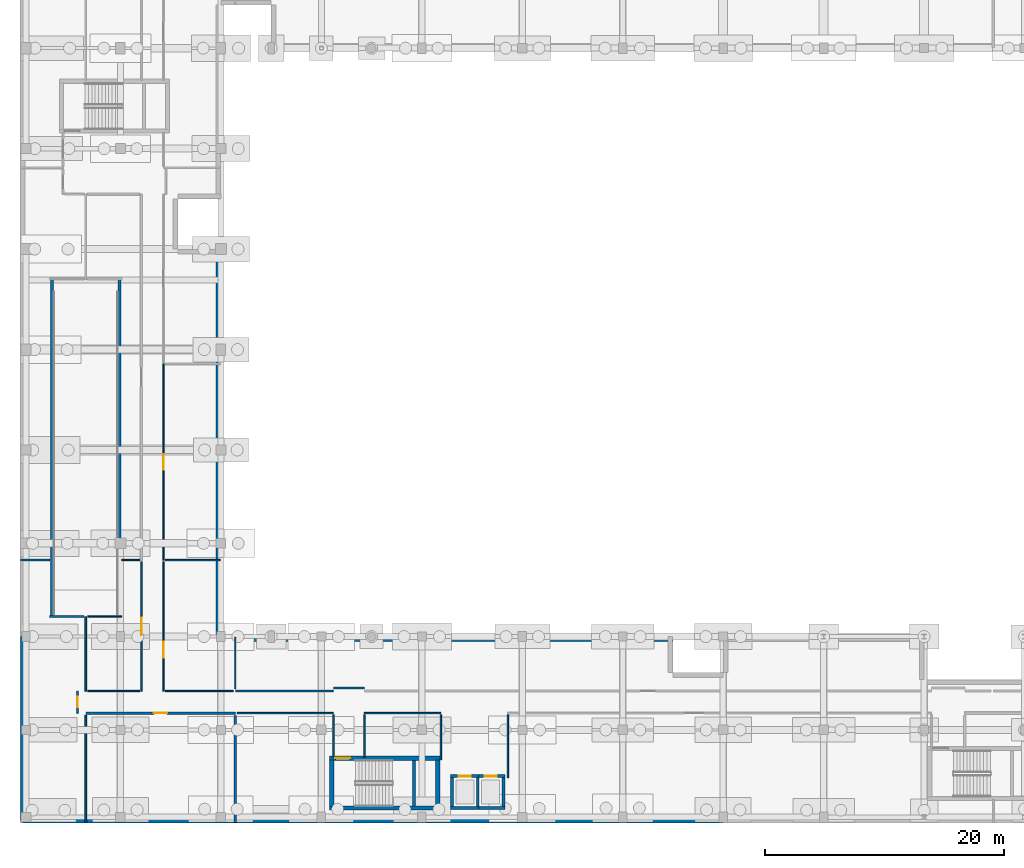
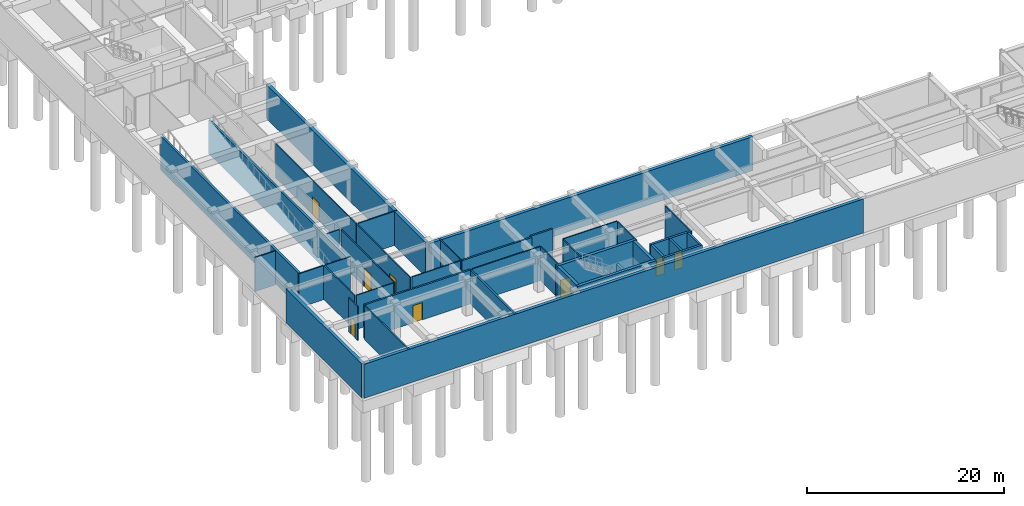
# One storey, part 25 of 42: 42 walls, 8 doors, 8 openings.
"""IFC4 building model written with IfcOpenShell, lengths in metres."""

from ifc_helpers import new_model, si_unit, direction, frame, frame_2d, origin, place, context, subcontext, project, spatial, rectangle, extrude, material, layer, layer_set, type_object, element, fill, save


model = new_model("IFC4")

# Units and contexts
model_context = context("Model", 3, precision=1e-05, world=origin(), true_north=direction((0.0, 1.0)))
body_context = subcontext(model_context, "Body", "Model", "MODEL_VIEW")
ifc_project = project(units=[si_unit("LENGTHUNIT", "METRE"), si_unit("AREAUNIT", "SQUARE_METRE"), si_unit("VOLUMEUNIT", "CUBIC_METRE"), si_unit("PLANEANGLEUNIT", "RADIAN"), si_unit("MASSUNIT", "GRAM", prefix="KILO")], contexts=[model_context])

# Site, building, storey
site_placement = place(None, origin())
site = spatial("IfcSite", under=ifc_project, at=site_placement, CompositionType="ELEMENT")
building_placement = place(site_placement, origin())
building = spatial("IfcBuilding", under=site, at=building_placement, Name="Quendrovan Civic Courthouse", CompositionType="ELEMENT")
storey_placement = place(building_placement, frame((0.0, 0.0, -4.5)))
storey = spatial("IfcBuildingStorey", under=building, at=storey_placement, Name="B1", CompositionType="ELEMENT", Elevation=-4.5)

# Walls
ifc_material_1 = material(Name="Concrete C35/45", Category="concrete")
ifc_layer_1 = layer(ifc_material_1, 0.3798828125, Name="Concrete C35/45")
ifc_layer_set_1 = layer_set([ifc_layer_1], Name="Concrete C35/45")
wall_type_1 = type_object("IfcWallType", Name="WL-BSM-RET380", PredefinedType="SOLIDWALL", material=ifc_layer_set_1)
wall_1_placement = place(storey_placement, frame((16.590087890625, 48.0, 0.0), z_axis=(0.0, 0.0, 1.0), x_axis=(0.0, -1.0, 0.0)))
element("IfcWall", 1, at=wall_1_placement, inside=storey, type_object=wall_type_1, Name="B1 Perimeter Retaining Wall 031", PredefinedType="SOLIDWALL", context=body_context, shape_type="SweptSolid", body=[
    extrude(rectangle(XDim=32.39990234375, YDim=0.3798828125, at=frame_2d((16.199951171875, 0.0))), origin(), (0.0, 0.0, 1.0), 4.219970703125),
])
wall_2_placement = place(storey_placement, frame((16.800048828125, 15.389892578125, 0.0), z_axis=(0.0, 0.0, 1.0), x_axis=(1.0, 0.0, 0.0)))
element("IfcWall", 2, at=wall_2_placement, inside=storey, type_object=wall_type_1, Name="B1 Perimeter Retaining Wall 032", PredefinedType="SOLIDWALL", context=body_context, shape_type="SweptSolid", body=[
    extrude(rectangle(XDim=37.800048828125, YDim=0.3798828125, at=frame_2d((18.89990234375, 0.0))), origin(), (0.0, 0.0, 1.0), 4.219970703125),
])
wall_3_placement = place(storey_placement, frame((58.800048828125, 0.219970703125, 0.0), z_axis=(0.0, 0.0, 1.0), x_axis=(-1.0, 0.0, 0.0)))
element("IfcWall", 3, at=wall_3_placement, inside=storey, type_object=wall_type_1, Name="B1 Perimeter Retaining Wall 043", PredefinedType="SOLIDWALL", context=body_context, shape_type="SweptSolid", body=[
    extrude(rectangle(XDim=58.580078125, YDim=0.3798828125, at=frame_2d((29.2900390625, 0.0))), origin(), (0.0, 0.0, 1.0), 4.219970703125),
])
wall_4_placement = place(storey_placement, frame((0.219970703125, 0.219970703125, 0.0), z_axis=(0.0, 0.0, 1.0), x_axis=(0.0, 1.0, 0.0)))
element("IfcWall", 4, at=wall_4_placement, inside=storey, type_object=wall_type_1, Name="B1 Perimeter Retaining Wall 044", PredefinedType="SOLIDWALL", context=body_context, shape_type="SweptSolid", body=[
    extrude(rectangle(XDim=15.380126953125, YDim=0.3798828125, at=frame_2d((7.68994140625, 0.0))), origin(), (0.0, 0.0, 1.0), 4.219970703125),
])
ifc_material_2 = material(Name="Concrete C45/55", Category="concrete")
ifc_layer_2 = layer(ifc_material_2, 0.35009765625, Name="Concrete C45/55")
ifc_layer_set_2 = layer_set([ifc_layer_2], Name="Concrete C45/55")
wall_type_2 = type_object("IfcWallType", Name="WL-CORE-350", PredefinedType="SHEAR", material=ifc_layer_set_2)
wall_5_placement = place(storey_placement, frame((25.889892578125, 1.264892578125, 0.0), z_axis=(0.0, 0.0, 1.0), x_axis=(1.0, 0.0, 0.0)))
element("IfcWall", 5, at=wall_5_placement, inside=storey, type_object=wall_type_2, Name="B1 Core Shear Wall ST5-S", PredefinedType="SHEAR", context=body_context, shape_type="SweptSolid", body=[
    extrude(rectangle(XDim=9.22021484375, YDim=0.35009765625, at=frame_2d((4.610107421875, 0.0))), origin(), (0.0, 0.0, 1.0), 4.219970703125),
])

# Wall, opening, door
wall_6_placement = place(storey_placement, frame((35.110107421875, 5.43505859375, 0.0), z_axis=(0.0, 0.0, 1.0), x_axis=(-1.0, 0.0, 0.0)))
wall_6 = element("IfcWall", 6, at=wall_6_placement, inside=storey, type_object=wall_type_2, Name="B1 Core Shear Wall ST5-N", PredefinedType="SHEAR", context=body_context, shape_type="SweptSolid", body=[
    extrude(rectangle(XDim=9.22021484375, YDim=0.35009765625, at=frame_2d((4.610107421875, 0.0))), origin(), (0.0, 0.0, 1.0), 4.219970703125),
])
opening_1_placement = place(wall_6_placement, frame((7.5, 0.0, 0.0)))
opening_1 = element("IfcOpeningElement", 7, at=opening_1_placement, cuts=wall_6, Name="Opening DS-ST5-B1", PredefinedType="OPENING", context=body_context, shape_type="SweptSolid", body=[
    extrude(rectangle(XDim=1.25, YDim=2.199951171875, at=frame_2d((0.625, 1.10009765625))), frame((0.0, 0.18505859375, 0.0), z_axis=(0.0, -1.0, 0.0), x_axis=(1.0, 0.0, 0.0)), (0.0, 0.0, 1.0), 0.3701171875),
])
ifc_material_3 = material(Name="Painted galvanized hollow-metal steel", Category="steel")
door_type_1 = type_object("IfcDoorType", Name="DR-STAIR-1250", OperationType="NOTDEFINED", PredefinedType="DOOR", material=ifc_material_3)
door_1_placement = place(opening_1_placement, origin())
door_1 = element("IfcDoor", 8, at=door_1_placement, inside=storey, type_object=door_type_1, Name="B1 Exit Stair ST5 Fire Door", OperationType="SINGLE_SWING_RIGHT", OverallHeight=2.199951171875, OverallWidth=1.25, PredefinedType="DOOR", context=body_context, shape_type="SweptSolid", body=[
    extrude(rectangle(XDim=1.25, YDim=2.199951171875, at=frame_2d((0.625, 1.10009765625))), frame((0.0, 0.02490234375, 0.0), z_axis=(0.0, -1.0, 0.0), x_axis=(1.0, 0.0, 0.0)), (0.0, 0.0, 1.0), 0.050048828125),
])
fill(opening_1, door_1)

# Walls
for number, where, z_axis, x_axis, name in (
    (9, (26.06494140625, 1.39990234375, 0.0), (0.0, 0.0, 1.0), (0.0, 1.0, 0.0), "B1 Core Shear Wall ST5-W"),
    (10, (34.93505859375, 5.300048828125, 0.0), (0.0, 0.0, 1.0), (0.0, -1.0, 0.0), "B1 Core Shear Wall ST5-E"),
):
    element("IfcWall", number, at=place(storey_placement, frame(where, z_axis=z_axis, x_axis=x_axis)), inside=storey, type_object=wall_type_2, Name=name, PredefinedType="SHEAR", context=body_context, shape_type="SweptSolid", body=[
        extrude(rectangle(XDim=3.900146484375, YDim=0.35009765625, at=frame_2d((1.9501953125, 0.0))), origin(), (0.0, 0.0, 1.0), 4.219970703125),
    ])

# Wall, opening, door
ifc_material_4 = material(Name="Concrete C40/50", Category="concrete")
ifc_layer_3 = layer(ifc_material_4, 0.199951171875, Name="Concrete C40/50")
ifc_layer_set_3 = layer_set([ifc_layer_3], Name="Concrete C40/50")
wall_type_3 = type_object("IfcWallType", Name="WL-CUST-200", PredefinedType="PARTITIONING", material=ifc_layer_set_3)
wall_7_placement = place(storey_placement, frame((5.5, 9.199951171875, 0.0), z_axis=(0.0, 0.0, 1.0), x_axis=(1.0, 0.0, 0.0)))
wall_7 = element("IfcWall", 11, at=wall_7_placement, inside=storey, type_object=wall_type_3, Name="B1 Basement Custody Holding Suite 1 Partition 0035", PredefinedType="PARTITIONING", context=body_context, shape_type="SweptSolid", body=[
    extrude(rectangle(XDim=12.5, YDim=0.199951171875, at=frame_2d((6.25, 0.0))), origin(), (0.0, 0.0, 1.0), 4.219970703125),
])
opening_2_placement = place(wall_7_placement, frame((5.68994140625, 0.0, 0.0)))
opening_2 = element("IfcOpeningElement", 12, at=opening_2_placement, cuts=wall_7, Name="Opening D-B1-004", PredefinedType="OPENING", context=body_context, shape_type="SweptSolid", body=[
    extrude(rectangle(XDim=1.1201171875, YDim=2.14990234375, at=frame_2d((0.56005859375, 1.074951171875))), frame((0.0, 0.10986328125, 0.0), z_axis=(0.0, -1.0, 0.0), x_axis=(1.0, 0.0, 0.0)), (0.0, 0.0, 1.0), 0.219970703125),
])
ifc_material_5 = material(Name="Heavy-gauge security steel door", Category="steel")
door_type_2 = type_object("IfcDoorType", Name="DR-CUST-1120", OperationType="NOTDEFINED", PredefinedType="DOOR", material=ifc_material_5)
door_2_placement = place(opening_2_placement, origin())
door_2 = element("IfcDoor", 13, at=door_2_placement, inside=storey, type_object=door_type_2, Name="B1 Basement Custody Holding Suite 1 Door D-B1-004", OperationType="SINGLE_SWING_LEFT", OverallHeight=2.14990234375, OverallWidth=1.1201171875, PredefinedType="DOOR", context=body_context, shape_type="SweptSolid", body=[
    extrude(rectangle(XDim=1.1201171875, YDim=2.14990234375, at=frame_2d((0.56005859375, 1.074951171875))), frame((0.0, 0.02490234375, 0.0), z_axis=(0.0, -1.0, 0.0), x_axis=(1.0, 0.0, 0.0)), (0.0, 0.0, 1.0), 0.050048828125),
])
fill(opening_2, door_2)

# Walls
wall_8_placement = place(storey_placement, frame((18.0, 9.02001953125, 0.0), z_axis=(0.0, 0.0, 1.0), x_axis=(0.0, -1.0, 0.0)))
element("IfcWall", 14, at=wall_8_placement, inside=storey, type_object=wall_type_3, Name="B1 Basement Custody Holding Suite 1 Partition 0045", PredefinedType="PARTITIONING", context=body_context, shape_type="SweptSolid", body=[
    extrude(rectangle(XDim=8.9599609375, YDim=0.199951171875, at=frame_2d((4.47998046875, 0.0))), origin(), (0.0, 0.0, 1.0), 4.219970703125),
])
wall_9_placement = place(storey_placement, frame((26.199951171875, 11.050048828125, 0.0), z_axis=(0.0, 0.0, 1.0), x_axis=(-1.0, 0.0, 0.0)))
element("IfcWall", 15, at=wall_9_placement, inside=storey, type_object=wall_type_3, Name="B1 Basement Custody Holding Suite 3 Partition 0049", PredefinedType="PARTITIONING", context=body_context, shape_type="SweptSolid", body=[
    extrude(rectangle(XDim=8.199951171875, YDim=0.199951171875, at=frame_2d((4.10009765625, 0.0))), origin(), (0.0, 0.0, 1.0), 4.219970703125),
])
wall_10_placement = place(storey_placement, frame((28.800048828125, 11.300048828125, 0.0), z_axis=(0.0, 0.0, 1.0), x_axis=(-1.0, 0.0, 0.0)))
element("IfcWall", 16, at=wall_10_placement, inside=storey, type_object=wall_type_3, Name="B1 Basement Custody Holding Suite 3 Partition 0115", PredefinedType="PARTITIONING", context=body_context, shape_type="SweptSolid", body=[
    extrude(rectangle(XDim=2.60009765625, YDim=0.199951171875, at=frame_2d((1.300048828125, 0.0))), origin(), (0.0, 0.0, 1.0), 4.219970703125),
])
ifc_material_6 = material(Name="Acoustic gypsum stud partition")
ifc_layer_4 = layer(ifc_material_6, 0.14990234375, Name="Acoustic gypsum stud partition")
ifc_layer_set_4 = layer_set([ifc_layer_4], Name="Acoustic gypsum stud partition")
wall_type_4 = type_object("IfcWallType", Name="WL-JURY-150", PredefinedType="PARTITIONING", material=ifc_layer_set_4)
wall_11_placement = place(storey_placement, frame((5.5, 9.02001953125, 0.0), z_axis=(0.0, 0.0, 1.0), x_axis=(0.0, -1.0, 0.0)))
element("IfcWall", 17, at=wall_11_placement, inside=storey, type_object=wall_type_4, Name="B1 Basement Judicial Car Park 1 Partition 0044", PredefinedType="PARTITIONING", context=body_context, shape_type="SweptSolid", body=[
    extrude(rectangle(XDim=8.9599609375, YDim=0.14990234375, at=frame_2d((4.47998046875, 0.0))), origin(), (0.0, 0.0, 1.0), 4.219970703125),
])
wall_12_placement = place(storey_placement, frame((5.5, 17.280029296875, 0.0), z_axis=(0.0, 0.0, 1.0), x_axis=(0.0, -1.0, 0.0)))
element("IfcWall", 18, at=wall_12_placement, inside=storey, type_object=wall_type_4, Name="B1 Basement Judicial Car Park 1 Partition 0058", PredefinedType="PARTITIONING", context=body_context, shape_type="SweptSolid", body=[
    extrude(rectangle(XDim=6.22998046875, YDim=0.14990234375, at=frame_2d((3.114990234375, 0.0))), origin(), (0.0, 0.0, 1.0), 4.219970703125),
])
wall_13_placement = place(storey_placement, frame((2.47998046875, 17.280029296875, 0.0), z_axis=(0.0, 0.0, 1.0), x_axis=(1.0, 0.0, 0.0)))
element("IfcWall", 19, at=wall_13_placement, inside=storey, type_object=wall_type_4, Name="B1 Basement Judicial Car Park 1 Partition 0096", PredefinedType="PARTITIONING", context=body_context, shape_type="SweptSolid", body=[
    extrude(rectangle(XDim=2.864990234375, YDim=0.14990234375, at=frame_2d((1.4326171875, 0.0))), origin(), (0.0, 0.0, 1.0), 4.219970703125),
])
wall_14_placement = place(storey_placement, frame((0.06005859375, 22.0, 0.0), z_axis=(0.0, 0.0, 1.0), x_axis=(1.0, 0.0, 0.0)))
element("IfcWall", 20, at=wall_14_placement, inside=storey, type_object=wall_type_4, Name="B1 Basement Judicial Car Park 1 Partition 0118", PredefinedType="PARTITIONING", context=body_context, shape_type="SweptSolid", body=[
    extrude(rectangle(XDim=2.419921875, YDim=0.14990234375, at=frame_2d((1.2099609375, 0.0))), origin(), (0.0, 0.0, 1.0), 4.219970703125),
])

# Wall, opening, door
wall_15_placement = place(storey_placement, frame((4.800048828125, 11.050048828125, 0.0), z_axis=(0.0, 0.0, 1.0), x_axis=(0.0, -1.0, 0.0)))
wall_15 = element("IfcWall", 21, at=wall_15_placement, inside=storey, type_object=wall_type_4, Name="B1 Basement Judicial Car Park 1 Partition 0140", PredefinedType="PARTITIONING", context=body_context, shape_type="SweptSolid", body=[
    extrude(rectangle(XDim=1.85009765625, YDim=0.14990234375, at=frame_2d((0.925048828125, 0.0))), origin(), (0.0, 0.0, 1.0), 4.219970703125),
])
opening_3_placement = place(wall_15_placement, frame((0.485107421875, 0.0, 0.0)))
opening_3 = element("IfcOpeningElement", 22, at=opening_3_placement, cuts=wall_15, Name="Opening D-B1-003", PredefinedType="OPENING", context=body_context, shape_type="SweptSolid", body=[
    extrude(rectangle(XDim=0.8798828125, YDim=2.10009765625, at=frame_2d((0.43994140625, 1.050048828125))), frame((0.0, 0.0849609375, 0.0), z_axis=(0.0, -1.0, 0.0), x_axis=(1.0, 0.0, 0.0)), (0.0, 0.0, 1.0), 0.169921875),
])
ifc_material_7 = material(Name="Painted steel store door", Category="steel")
door_type_3 = type_object("IfcDoorType", Name="DR-STR-880", OperationType="NOTDEFINED", PredefinedType="DOOR", material=ifc_material_7)
door_3_placement = place(opening_3_placement, origin())
door_3 = element("IfcDoor", 23, at=door_3_placement, inside=storey, type_object=door_type_3, Name="B1 Basement Judicial Car Park 1 Door D-B1-003", OperationType="SINGLE_SWING_RIGHT", OverallHeight=2.10009765625, OverallWidth=0.8798828125, PredefinedType="DOOR", context=body_context, shape_type="SweptSolid", body=[
    extrude(rectangle(XDim=0.8798828125, YDim=2.10009765625, at=frame_2d((0.43994140625, 1.050048828125))), frame((0.0, 0.02490234375, 0.0), z_axis=(0.0, -1.0, 0.0), x_axis=(1.0, 0.0, 0.0)), (0.0, 0.0, 1.0), 0.050048828125),
])
fill(opening_3, door_3)

ifc_material_8 = material(Name="Acoustic glazed-head stud partition")
ifc_layer_5 = layer(ifc_material_8, 0.1201171875, Name="Acoustic glazed-head stud partition")
ifc_layer_set_5 = layer_set([ifc_layer_5], Name="Acoustic glazed-head stud partition")
wall_type_5 = type_object("IfcWallType", Name="WL-LIB-120", PredefinedType="PARTITIONING", material=ifc_layer_set_5)
wall_16_placement = place(storey_placement, frame((12.0, 22.0, 0.0), z_axis=(0.0, 0.0, 1.0), x_axis=(0.0, 1.0, 0.0)))
wall_16 = element("IfcWall", 24, at=wall_16_placement, inside=storey, type_object=wall_type_5, Name="B1 Basement Legal Evidence Archive Store 2 Partition 0024", PredefinedType="PARTITIONING", context=body_context, shape_type="SweptSolid", body=[
    extrude(rectangle(XDim=16.39990234375, YDim=0.1201171875, at=frame_2d((8.199951171875, 0.0))), origin(), (0.0, 0.0, 1.0), 4.219970703125),
])
opening_4_placement = place(wall_16_placement, frame((7.5400390625, 0.0, 0.0)))
opening_4 = element("IfcOpeningElement", 25, at=opening_4_placement, cuts=wall_16, Name="Opening D-B1-012", PredefinedType="OPENING", context=body_context, shape_type="SweptSolid", body=[
    extrude(rectangle(XDim=1.320068359375, YDim=2.239990234375, at=frame_2d((0.66015625, 1.1201171875))), frame((0.0, 0.070068359375, 0.0), z_axis=(0.0, -1.0, 0.0), x_axis=(1.0, 0.0, 0.0)), (0.0, 0.0, 1.0), 0.14013671875),
])
ifc_material_9 = material(Name="Painted fire-rated steel archive door", Category="steel")
door_type_4 = type_object("IfcDoorType", Name="DR-ARC-1320", OperationType="NOTDEFINED", PredefinedType="DOOR", material=ifc_material_9)
door_4_placement = place(opening_4_placement, origin())
door_4 = element("IfcDoor", 26, at=door_4_placement, inside=storey, type_object=door_type_4, Name="B1 Basement Legal Evidence Archive Store 2 Door D-B1-012", OperationType="SINGLE_SWING_LEFT", OverallHeight=2.239990234375, OverallWidth=1.320068359375, PredefinedType="DOOR", context=body_context, shape_type="SweptSolid", body=[
    extrude(rectangle(XDim=1.320068359375, YDim=2.239990234375, at=frame_2d((0.66015625, 1.1201171875))), frame((0.0, 0.02490234375, 0.0), z_axis=(0.0, -1.0, 0.0), x_axis=(1.0, 0.0, 0.0)), (0.0, 0.0, 1.0), 0.050048828125),
])
fill(opening_4, door_4)

wall_17_placement = place(storey_placement, frame((12.0, 11.050048828125, 0.0), z_axis=(0.0, 0.0, 1.0), x_axis=(0.0, 1.0, 0.0)))
wall_17 = element("IfcWall", 27, at=wall_17_placement, inside=storey, type_object=wall_type_5, Name="B1 Judicial Legal Evidence Archive 1 Partition 0037", PredefinedType="PARTITIONING", context=body_context, shape_type="SweptSolid", body=[
    extrude(rectangle(XDim=10.81005859375, YDim=0.1201171875, at=frame_2d((5.405029296875, 0.0))), origin(), (0.0, 0.0, 1.0), 4.219970703125),
])
opening_5_placement = place(wall_17_placement, frame((2.79931640625, 0.0, 0.0)))
opening_5 = element("IfcOpeningElement", 28, at=opening_5_placement, cuts=wall_17, Name="Opening D-B1-008", PredefinedType="OPENING", context=body_context, shape_type="SweptSolid", body=[
    extrude(rectangle(XDim=1.320068359375, YDim=2.239990234375, at=frame_2d((0.66015625, 1.1201171875))), frame((0.0, 0.070068359375, 0.0), z_axis=(0.0, -1.0, 0.0), x_axis=(1.0, 0.0, 0.0)), (0.0, 0.0, 1.0), 0.14013671875),
])
door_5_placement = place(opening_5_placement, origin())
door_5 = element("IfcDoor", 29, at=door_5_placement, inside=storey, type_object=door_type_4, Name="B1 Judicial Legal Evidence Archive 1 Door D-B1-008", OperationType="SINGLE_SWING_LEFT", OverallHeight=2.239990234375, OverallWidth=1.320068359375, PredefinedType="DOOR", context=body_context, shape_type="SweptSolid", body=[
    extrude(rectangle(XDim=1.320068359375, YDim=2.239990234375, at=frame_2d((0.66015625, 1.1201171875))), frame((0.0, 0.02490234375, 0.0), z_axis=(0.0, -1.0, 0.0), x_axis=(1.0, 0.0, 0.0)), (0.0, 0.0, 1.0), 0.050048828125),
])
fill(opening_5, door_5)

# Walls
wall_18_placement = place(storey_placement, frame((17.820068359375, 11.050048828125, 0.0), z_axis=(0.0, 0.0, 1.0), x_axis=(-1.0, 0.0, 0.0)))
element("IfcWall", 30, at=wall_18_placement, inside=storey, type_object=wall_type_5, Name="B1 Judicial Legal Evidence Archive 1 Partition 0061", PredefinedType="PARTITIONING", context=body_context, shape_type="SweptSolid", body=[
    extrude(rectangle(XDim=5.68017578125, YDim=0.1201171875, at=frame_2d((2.840087890625, 0.0))), origin(), (0.0, 0.0, 1.0), 4.219970703125),
])
wall_19_placement = place(storey_placement, frame((12.139892578125, 22.0, 0.0), z_axis=(0.0, 0.0, 1.0), x_axis=(1.0, 0.0, 0.0)))
element("IfcWall", 31, at=wall_19_placement, inside=storey, type_object=wall_type_5, Name="B1 Judicial Legal Evidence Archive 1 Partition 0071", PredefinedType="PARTITIONING", context=body_context, shape_type="SweptSolid", body=[
    extrude(rectangle(XDim=4.60009765625, YDim=0.1201171875, at=frame_2d((2.300048828125, 0.0))), origin(), (0.0, 0.0, 1.0), 4.219970703125),
])
wall_20_placement = place(storey_placement, frame((18.0, 15.5400390625, 0.0), z_axis=(0.0, 0.0, 1.0), x_axis=(0.0, -1.0, 0.0)))
element("IfcWall", 32, at=wall_20_placement, inside=storey, type_object=wall_type_5, Name="B1 Judicial Legal Evidence Archive 1 Partition 0080", PredefinedType="PARTITIONING", context=body_context, shape_type="SweptSolid", body=[
    extrude(rectangle(XDim=4.31005859375, YDim=0.1201171875, at=frame_2d((2.155029296875, 0.0))), origin(), (0.0, 0.0, 1.0), 4.219970703125),
])
ifc_material_10 = material(Name="Gypsum stud partition")
ifc_layer_6 = layer(ifc_material_10, 0.1298828125, Name="Gypsum stud partition")
ifc_layer_set_6 = layer_set([ifc_layer_6], Name="Gypsum stud partition")
wall_type_6 = type_object("IfcWallType", Name="WL-REG-130", PredefinedType="PARTITIONING", material=ifc_layer_set_6)
wall_21_placement = place(storey_placement, frame((18.179931640625, 9.199951171875, 0.0), z_axis=(0.0, 0.0, 1.0), x_axis=(1.0, 0.0, 0.0)))
element("IfcWall", 33, at=wall_21_placement, inside=storey, type_object=wall_type_6, Name="B1 Basement Judicial Car Park 2 Partition 0048", PredefinedType="PARTITIONING", context=body_context, shape_type="SweptSolid", body=[
    extrude(rectangle(XDim=8.02001953125, YDim=0.1298828125, at=frame_2d((4.010009765625, 0.0))), origin(), (0.0, 0.0, 1.0), 4.219970703125),
])
wall_22_placement = place(storey_placement, frame((28.800048828125, 9.199951171875, 0.0), z_axis=(0.0, 0.0, 1.0), x_axis=(1.0, 0.0, 0.0)))
element("IfcWall", 34, at=wall_22_placement, inside=storey, type_object=wall_type_6, Name="B1 Basement Judicial Car Park 2 Partition 0057", PredefinedType="PARTITIONING", context=body_context, shape_type="SweptSolid", body=[
    extrude(rectangle(XDim=6.39990234375, YDim=0.1298828125, at=frame_2d((3.199951171875, 0.0))), origin(), (0.0, 0.0, 1.0), 4.219970703125),
])
wall_23_placement = place(storey_placement, frame((35.199951171875, 9.054931640625, 0.0), z_axis=(0.0, 0.0, 1.0), x_axis=(0.0, -1.0, 0.0)))
element("IfcWall", 35, at=wall_23_placement, inside=storey, type_object=wall_type_6, Name="B1 Basement Judicial Car Park 2 Partition 0066", PredefinedType="PARTITIONING", context=body_context, shape_type="SweptSolid", body=[
    extrude(rectangle(XDim=3.7548828125, YDim=0.1298828125, at=frame_2d((1.87744140625, 0.0))), origin(), (0.0, 0.0, 1.0), 4.219970703125),
])
wall_24_placement = place(storey_placement, frame((40.800048828125, 3.800048828125, 0.0), z_axis=(0.0, 0.0, 1.0), x_axis=(0.0, 1.0, 0.0)))
element("IfcWall", 36, at=wall_24_placement, inside=storey, type_object=wall_type_6, Name="B1 Basement Judicial Car Park 2 Partition 0067", PredefinedType="PARTITIONING", context=body_context, shape_type="SweptSolid", body=[
    extrude(rectangle(XDim=5.2548828125, YDim=0.1298828125, at=frame_2d((2.62744140625, 0.0))), origin(), (0.0, 0.0, 1.0), 4.219970703125),
])
for number, where, z_axis, x_axis, name in (
    (37, (26.199951171875, 9.054931640625, 0.0), (0.0, 0.0, 1.0), (0.0, -1.0, 0.0), "B1 Basement Judicial Car Park 2 Partition 0088"),
    (38, (28.800048828125, 5.52001953125, 0.0), (0.0, 0.0, 1.0), (0.0, 1.0, 0.0), "B1 Basement Judicial Car Park 2 Partition 0089"),
):
    element("IfcWall", number, at=place(storey_placement, frame(where, z_axis=z_axis, x_axis=x_axis)), inside=storey, type_object=wall_type_6, Name=name, PredefinedType="PARTITIONING", context=body_context, shape_type="SweptSolid", body=[
        extrude(rectangle(XDim=3.534912109375, YDim=0.1298828125, at=frame_2d((1.767578125, 0.0))), origin(), (0.0, 0.0, 1.0), 4.219970703125),
    ])
ifc_layer_7 = layer(ifc_material_2, 0.25, Name="Concrete C45/55")
ifc_layer_set_7 = layer_set([ifc_layer_7], Name="Concrete C45/55")
wall_type_7 = type_object("IfcWallType", Name="WL-SHAFT-250", PredefinedType="SHEAR", material=ifc_layer_set_7)
wall_25_placement = place(storey_placement, frame((32.949951171875, 1.449951171875, 0.0), z_axis=(0.0, 0.0, 1.0), x_axis=(0.0, 1.0, 0.0)))
element("IfcWall", 39, at=wall_25_placement, inside=storey, type_object=wall_type_7, Name="B1 Stair ST5 Mid-Landing Bearing Wall", PredefinedType="SHEAR", context=body_context, shape_type="SweptSolid", body=[
    extrude(rectangle(XDim=3.800048828125, YDim=0.25, at=frame_2d((1.89990234375, 0.0))), origin(), (0.0, 0.0, 1.0), 2.070068359375),
])
wall_26_placement = place(storey_placement, frame((36.0, 1.27490234375, 0.0), z_axis=(0.0, 0.0, 1.0), x_axis=(1.0, 0.0, 0.0)))
element("IfcWall", 40, at=wall_26_placement, inside=storey, type_object=wall_type_7, Name="B1 Lift Hoistway Wall CL1 -Y", PredefinedType="SHEAR", context=body_context, shape_type="SweptSolid", body=[
    extrude(rectangle(XDim=2.39990234375, YDim=0.25, at=frame_2d((1.199951171875, 0.0))), origin(), (0.0, 0.0, 1.0), 4.219970703125),
])

# Wall, opening, door
wall_27_placement = place(storey_placement, frame((38.39990234375, 3.925048828125, 0.0), z_axis=(0.0, 0.0, 1.0), x_axis=(-1.0, 0.0, 0.0)))
wall_27 = element("IfcWall", 41, at=wall_27_placement, inside=storey, type_object=wall_type_7, Name="B1 Lift Hoistway Wall CL1 +Y", PredefinedType="SHEAR", context=body_context, shape_type="SweptSolid", body=[
    extrude(rectangle(XDim=2.39990234375, YDim=0.25, at=frame_2d((1.199951171875, 0.0))), origin(), (0.0, 0.0, 1.0), 4.219970703125),
])
opening_6_placement = place(wall_27_placement, frame((0.68994140625, 0.0, 0.0)))
opening_6 = element("IfcOpeningElement", 42, at=opening_6_placement, cuts=wall_27, Name="Opening LD-CL1-B1", PredefinedType="OPENING", context=body_context, shape_type="SweptSolid", body=[
    extrude(rectangle(XDim=1.02001953125, YDim=2.14990234375, at=frame_2d((0.510009765625, 1.074951171875))), frame((0.0, 0.135009765625, 0.0), z_axis=(0.0, -1.0, 0.0), x_axis=(1.0, 0.0, 0.0)), (0.0, 0.0, 1.0), 0.27001953125),
])
ifc_material_11 = material(Name="Heavy security stainless steel", Category="steel")
door_type_5 = type_object("IfcDoorType", Name="DR-LIFT-LD-CL", OperationType="NOTDEFINED", PredefinedType="DOOR", material=ifc_material_11)
door_6_placement = place(opening_6_placement, origin())
door_6 = element("IfcDoor", 43, at=door_6_placement, inside=storey, type_object=door_type_5, Name="B1 Lift CL1 Sliding Landing Door", OperationType="SLIDING_TO_LEFT", OverallHeight=2.14990234375, OverallWidth=1.02001953125, PredefinedType="DOOR", context=body_context, shape_type="SweptSolid", body=[
    extrude(rectangle(XDim=1.02001953125, YDim=2.14990234375, at=frame_2d((0.510009765625, 1.074951171875))), frame((0.0, 0.02490234375, 0.0), z_axis=(0.0, -1.0, 0.0), x_axis=(1.0, 0.0, 0.0)), (0.0, 0.0, 1.0), 0.050048828125),
])
fill(opening_6, door_6)

# Walls
for number, where, z_axis, x_axis, name in (
    (44, (36.125, 1.39990234375, 0.0), (0.0, 0.0, 1.0), (0.0, 1.0, 0.0), "B1 Lift Hoistway Wall CL1 -X"),
    (45, (38.27490234375, 3.800048828125, 0.0), (0.0, 0.0, 1.0), (0.0, -1.0, 0.0), "B1 Lift Hoistway Wall CL1 +X"),
    (46, (38.14990234375, 1.27490234375, 0.0), (0.0, 0.0, 1.0), (1.0, 0.0, 0.0), "B1 Lift Hoistway Wall CL2 -Y"),
):
    element("IfcWall", number, at=place(storey_placement, frame(where, z_axis=z_axis, x_axis=x_axis)), inside=storey, type_object=wall_type_7, Name=name, PredefinedType="SHEAR", context=body_context, shape_type="SweptSolid", body=[
        extrude(rectangle(XDim=2.400146484375, YDim=0.25, at=frame_2d((1.2001953125, 0.0))), origin(), (0.0, 0.0, 1.0), 4.219970703125),
    ])

# Wall, opening, door
wall_28_placement = place(storey_placement, frame((40.550048828125, 3.925048828125, 0.0), z_axis=(0.0, 0.0, 1.0), x_axis=(-1.0, 0.0, 0.0)))
wall_28 = element("IfcWall", 47, at=wall_28_placement, inside=storey, type_object=wall_type_7, Name="B1 Lift Hoistway Wall CL2 +Y", PredefinedType="SHEAR", context=body_context, shape_type="SweptSolid", body=[
    extrude(rectangle(XDim=2.400146484375, YDim=0.25, at=frame_2d((1.2001953125, 0.0))), origin(), (0.0, 0.0, 1.0), 4.219970703125),
])
opening_7_placement = place(wall_28_placement, frame((0.68994140625, 0.0, 0.0)))
opening_7 = element("IfcOpeningElement", 48, at=opening_7_placement, cuts=wall_28, Name="Opening LD-CL2-B1", PredefinedType="OPENING", context=body_context, shape_type="SweptSolid", body=[
    extrude(rectangle(XDim=1.02001953125, YDim=2.14990234375, at=frame_2d((0.510009765625, 1.074951171875))), frame((0.0, 0.135009765625, 0.0), z_axis=(0.0, -1.0, 0.0), x_axis=(1.0, 0.0, 0.0)), (0.0, 0.0, 1.0), 0.27001953125),
])
door_7_placement = place(opening_7_placement, origin())
door_7 = element("IfcDoor", 49, at=door_7_placement, inside=storey, type_object=door_type_5, Name="B1 Lift CL2 Sliding Landing Door", OperationType="SLIDING_TO_LEFT", OverallHeight=2.14990234375, OverallWidth=1.02001953125, PredefinedType="DOOR", context=body_context, shape_type="SweptSolid", body=[
    extrude(rectangle(XDim=1.02001953125, YDim=2.14990234375, at=frame_2d((0.510009765625, 1.074951171875))), frame((0.0, 0.02490234375, 0.0), z_axis=(0.0, -1.0, 0.0), x_axis=(1.0, 0.0, 0.0)), (0.0, 0.0, 1.0), 0.050048828125),
])
fill(opening_7, door_7)

# Walls
wall_29_placement = place(storey_placement, frame((40.425048828125, 3.800048828125, 0.0), z_axis=(0.0, 0.0, 1.0), x_axis=(0.0, -1.0, 0.0)))
element("IfcWall", 50, at=wall_29_placement, inside=storey, type_object=wall_type_7, Name="B1 Lift Hoistway Wall CL2 +X", PredefinedType="SHEAR", context=body_context, shape_type="SweptSolid", body=[
    extrude(rectangle(XDim=2.400146484375, YDim=0.25, at=frame_2d((1.2001953125, 0.0))), origin(), (0.0, 0.0, 1.0), 4.219970703125),
])
for number, where, z_axis, x_axis, name in (
    (51, (2.675048828125, 17.35009765625, 0.0), (0.0, 0.0, 1.0), (0.0, 1.0, 0.0), "B1 Vehicle Ramp Bearing Side Wall W"),
    (52, (8.324951171875, 17.35009765625, 0.0), (0.0, 0.0, 1.0), (0.0, 1.0, 0.0), "B1 Vehicle Ramp Bearing Side Wall E"),
):
    element("IfcWall", number, at=place(storey_placement, frame(where, z_axis=z_axis, x_axis=x_axis)), inside=storey, type_object=wall_type_7, Name=name, PredefinedType="SHEAR", context=body_context, shape_type="SweptSolid", body=[
        extrude(rectangle(XDim=28.099853515625, YDim=0.25, at=frame_2d((14.0498046875, 0.0))), origin(), (0.0, 0.0, 1.0), 4.169921875),
    ])

# Wall, opening, door
ifc_material_12 = material(Name="Moisture-resistant tile-backer partition")
ifc_layer_8 = layer(ifc_material_12, 0.110107421875, Name="Moisture-resistant tile-backer partition")
ifc_layer_set_8 = layer_set([ifc_layer_8], Name="Moisture-resistant tile-backer partition")
wall_type_8 = type_object("IfcWallType", Name="WL-WET-110", PredefinedType="PARTITIONING", material=ifc_layer_set_8)
wall_30_placement = place(storey_placement, frame((10.14990234375, 21.844970703125, 0.0), z_axis=(0.0, 0.0, 1.0), x_axis=(0.0, -1.0, 0.0)))
wall_30 = element("IfcWall", 53, at=wall_30_placement, inside=storey, type_object=wall_type_8, Name="B1 Basement Judicial Car Park 3 Partition 0036", PredefinedType="PARTITIONING", context=body_context, shape_type="SweptSolid", body=[
    extrude(rectangle(XDim=10.794921875, YDim=0.110107421875, at=frame_2d((5.3974609375, 0.0))), origin(), (0.0, 0.0, 1.0), 4.219970703125),
])
opening_8_placement = place(wall_30_placement, frame((4.677490234375, 0.0, 0.0)))
opening_8 = element("IfcOpeningElement", 54, at=opening_8_placement, cuts=wall_30, Name="Opening D-B1-007", PredefinedType="OPENING", context=body_context, shape_type="SweptSolid", body=[
    extrude(rectangle(XDim=1.43994140625, YDim=2.340087890625, at=frame_2d((0.719970703125, 1.169921875))), frame((0.0, 0.06494140625, 0.0), z_axis=(0.0, -1.0, 0.0), x_axis=(1.0, 0.0, 0.0)), (0.0, 0.0, 1.0), 0.130126953125),
])
ifc_material_13 = material(Name="Louvred fire-rated steel plant door", Category="steel")
door_type_6 = type_object("IfcDoorType", Name="DR-PLT-1440", OperationType="NOTDEFINED", PredefinedType="DOOR", material=ifc_material_13)
door_8_placement = place(opening_8_placement, origin())
door_8 = element("IfcDoor", 55, at=door_8_placement, inside=storey, type_object=door_type_6, Name="B1 Basement Judicial Car Park 3 Door D-B1-007", OperationType="SINGLE_SWING_RIGHT", OverallHeight=2.340087890625, OverallWidth=1.43994140625, PredefinedType="DOOR", context=body_context, shape_type="SweptSolid", body=[
    extrude(rectangle(XDim=1.43994140625, YDim=2.340087890625, at=frame_2d((0.719970703125, 1.169921875))), frame((0.0, 0.02490234375, 0.0), z_axis=(0.0, -1.0, 0.0), x_axis=(1.0, 0.0, 0.0)), (0.0, 0.0, 1.0), 0.050048828125),
])
fill(opening_8, door_8)

# Walls
wall_31_placement = place(storey_placement, frame((10.014892578125, 11.050048828125, 0.0), z_axis=(0.0, 0.0, 1.0), x_axis=(-1.0, 0.0, 0.0)))
element("IfcWall", 56, at=wall_31_placement, inside=storey, type_object=wall_type_8, Name="B1 Basement Judicial Car Park 3 Partition 0077", PredefinedType="PARTITIONING", context=body_context, shape_type="SweptSolid", body=[
    extrude(rectangle(XDim=4.35986328125, YDim=0.110107421875, at=frame_2d((2.179931640625, 0.0))), origin(), (0.0, 0.0, 1.0), 4.219970703125),
])
wall_32_placement = place(storey_placement, frame((5.655029296875, 17.280029296875, 0.0), z_axis=(0.0, 0.0, 1.0), x_axis=(1.0, 0.0, 0.0)))
element("IfcWall", 57, at=wall_32_placement, inside=storey, type_object=wall_type_8, Name="B1 Basement Judicial Car Park 3 Partition 0098", PredefinedType="PARTITIONING", context=body_context, shape_type="SweptSolid", body=[
    extrude(rectangle(XDim=2.864990234375, YDim=0.110107421875, at=frame_2d((1.4326171875, 0.0))), origin(), (0.0, 0.0, 1.0), 4.219970703125),
])
wall_33_placement = place(storey_placement, frame((8.52001953125, 22.0, 0.0), z_axis=(0.0, 0.0, 1.0), x_axis=(1.0, 0.0, 0.0)))
element("IfcWall", 58, at=wall_33_placement, inside=storey, type_object=wall_type_8, Name="B1 Basement Judicial Car Park 3 Partition 0146", PredefinedType="PARTITIONING", context=body_context, shape_type="SweptSolid", body=[
    extrude(rectangle(XDim=1.47509765625, YDim=0.110107421875, at=frame_2d((0.737548828125, 0.0))), origin(), (0.0, 0.0, 1.0), 4.219970703125),
])

save(model, "model.ifc")
